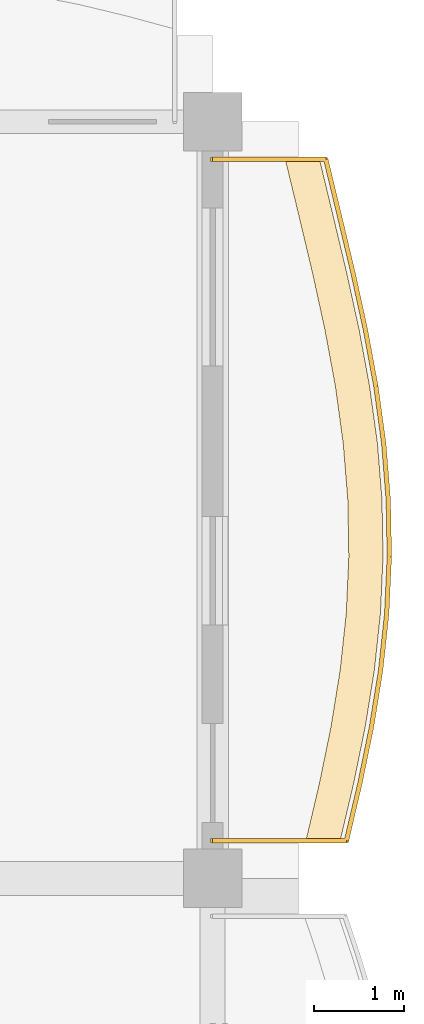
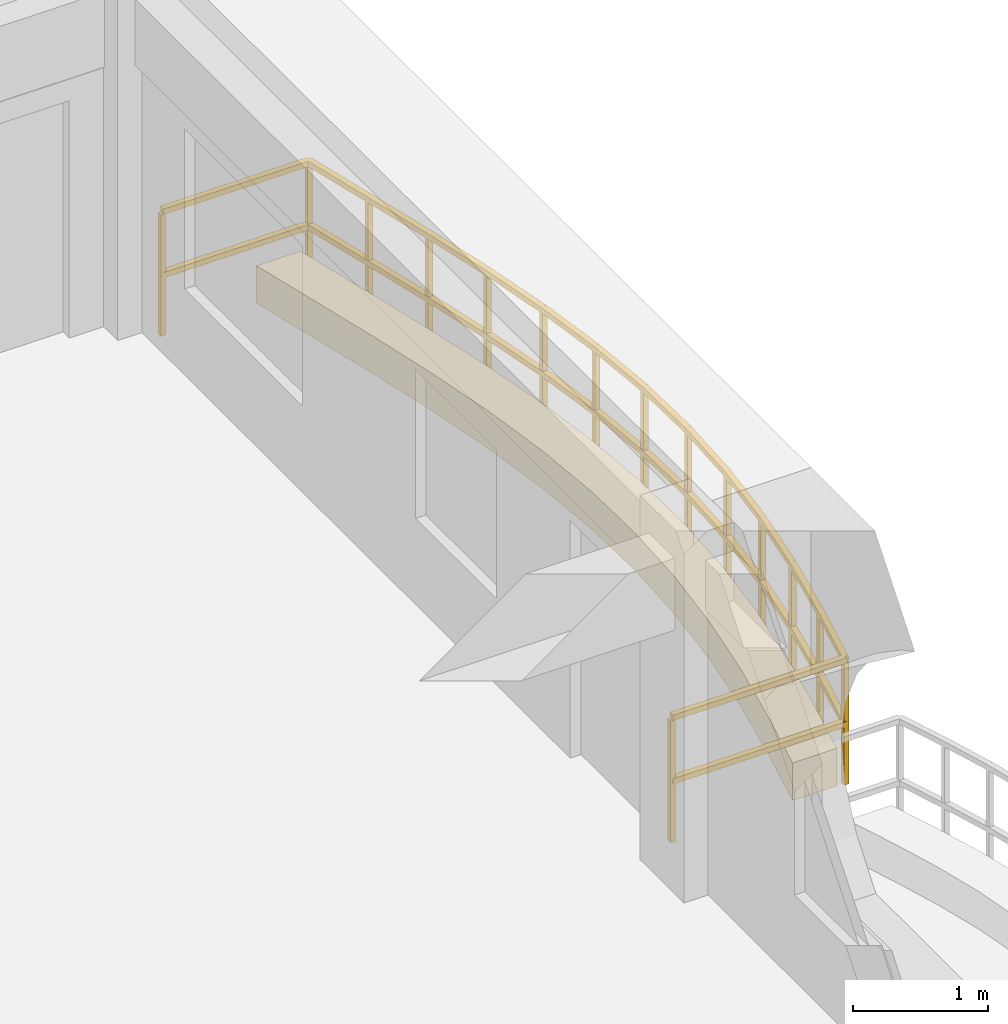
# One storey, part 101 of 101: 1 covering, 1 railing.
"""IFC4 building model written with IfcOpenShell, lengths in metres."""

from ifc_helpers import new_model, si_unit, direction, frame, origin, origin_2d, place, context, subcontext, project, spatial, polyline, rectangle, outline, extrude, material, layer, layer_set, type_object, element, save


model = new_model("IFC4")

# Units and contexts
model_context = context("Model", 3, precision=1e-05, world=origin(), true_north=direction((0.0, 1.0)))
body_context = subcontext(model_context, "Body", "Model", "MODEL_VIEW")
ifc_project = project(units=[si_unit("LENGTHUNIT", "METRE"), si_unit("AREAUNIT", "SQUARE_METRE"), si_unit("VOLUMEUNIT", "CUBIC_METRE"), si_unit("PLANEANGLEUNIT", "RADIAN"), si_unit("MASSUNIT", "GRAM", prefix="KILO"), si_unit("THERMODYNAMICTEMPERATUREUNIT", "KELVIN")], contexts=[model_context])

# Site, building, storey
site_placement = place(None, origin())
site = spatial("IfcSite", under=ifc_project, at=site_placement, CompositionType="ELEMENT")
building_placement = place(site_placement, origin())
building = spatial("IfcBuilding", under=site, at=building_placement, Name="Thalorik Housing Commons", CompositionType="ELEMENT")
storey_placement = place(building_placement, frame((0.0, 0.0, 8.10009765625)))
storey = spatial("IfcBuildingStorey", under=building, at=storey_placement, Name="L02", CompositionType="ELEMENT", Elevation=8.10009765625)

# Covering
ifc_material_1 = material(Name="Planted vegetated substrate and terracotta trough", Category="masonry")
ifc_layer = layer(ifc_material_1, 0.340087890625, Name="Planted vegetated substrate and terracotta trough", Category="masonry")
ifc_layer_set = layer_set([ifc_layer], Name="Planted vegetated substrate and terracotta trough")
covering_type = type_object("IfcCoveringType", Name="ARC-COV-PLANTER", PredefinedType="USERDEFINED", material=ifc_layer_set)
covering_placement = place(storey_placement, origin())
element("IfcCovering", 1, at=covering_placement, inside=storey, type_object=covering_type, Name="L02 Balcony Slab-Edge Planted Trough 5429", ObjectType="PLANTER", PredefinedType="USERDEFINED", context=body_context, shape_type="SweptSolid", body=[
    extrude(outline(polyline([(175.416015625, 115.6201171875), (175.564208984375, 116.25), (175.693359375, 116.8798828125), (175.795166015625, 117.510009765625), (175.86279296875, 118.139892578125), (175.8916015625, 118.77001953125), (175.880126953125, 119.39990234375), (175.829345703125, 120.030029296875), (175.74267578125, 120.659912109375), (175.62646484375, 121.2900390625), (175.488525390625, 121.919921875), (175.338623046875, 122.550048828125), (175.186767578125, 123.179931640625), (174.806884765625, 123.179931640625), (174.958740234375, 122.550048828125), (175.108642578125, 121.919921875), (175.246337890625, 121.2900390625), (175.36279296875, 120.659912109375), (175.44921875, 120.030029296875), (175.500244140625, 119.39990234375), (175.51171875, 118.77001953125), (175.48291015625, 118.139892578125), (175.415283203125, 117.510009765625), (175.3134765625, 116.8798828125), (175.18408203125, 116.25), (175.035888671875, 115.6201171875), (175.416015625, 115.6201171875)])), origin(), (0.0, 0.0, 1.0), 0.33984375),
])

# Railing
ifc_material_2 = material(Name="Steel S355", Category="steel")
railing_type = type_object("IfcRailingType", Name="ARC-RL-BAL-115", PredefinedType="BALUSTRADE", material=ifc_material_2)
railing_placement = place(storey_placement, frame((174.0, 115.6201171875, 0.0)))
element("IfcRailing", 2, at=railing_placement, inside=storey, type_object=railing_type, Name="L02 Cushion Balcony Guardrail 113", PredefinedType="BALUSTRADE", context=body_context, shape_type="SweptSolid", body=[
    extrude(rectangle(XDim=0.050048828125, YDim=0.050048828125, at=origin_2d()), frame((0.0, 0.0, 1.125), z_axis=(1.0, 0.0, 0.0), x_axis=(0.0, 1.0, 0.0)), (0.0, 0.0, 1.0), 1.486083984375),
    extrude(rectangle(XDim=0.050048828125, YDim=0.050048828125, at=origin_2d()), frame((0.0, 0.0, 0.5498046875), z_axis=(1.0, 0.0, 0.0), x_axis=(0.0, 1.0, 0.0)), (0.0, 0.0, 1.0), 1.486083984375),
    extrude(rectangle(XDim=0.050048828125, YDim=0.050048828125, at=origin_2d()), frame((1.486083984375, 0.0, 1.125), z_axis=(0.228660751292, 0.973506168865, 0.0), x_axis=(-0.973506168865, 0.228660751292, 0.0)), (0.0, 0.0, 1.0), 0.64697265625),
    extrude(rectangle(XDim=0.050048828125, YDim=0.050048828125, at=origin_2d()), frame((1.486083984375, 0.0, 0.5498046875), z_axis=(0.228660751292, 0.973506168865, 0.0), x_axis=(-0.973506168865, 0.228660751292, 0.0)), (0.0, 0.0, 1.0), 0.64697265625),
    extrude(rectangle(XDim=0.050048828125, YDim=0.050048828125, at=origin_2d()), frame((1.634033203125, 0.6298828125, 1.125), z_axis=(0.201224395652, 0.979545171288, 0.0), x_axis=(-0.979545171288, 0.201224395652, 0.0)), (0.0, 0.0, 1.0), 0.64306640625),
    extrude(rectangle(XDim=0.050048828125, YDim=0.050048828125, at=origin_2d()), frame((1.634033203125, 0.6298828125, 0.5498046875), z_axis=(0.201224395652, 0.979545171288, 0.0), x_axis=(-0.979545171288, 0.201224395652, 0.0)), (0.0, 0.0, 1.0), 0.64306640625),
    extrude(rectangle(XDim=0.050048828125, YDim=0.050048828125, at=origin_2d()), frame((1.763427734375, 1.259765625, 1.125), z_axis=(0.159496992938, 0.987198414324, 0.0), x_axis=(-0.987198414324, 0.159496992938, 0.0)), (0.0, 0.0, 1.0), 0.63818359375),
    extrude(rectangle(XDim=0.050048828125, YDim=0.050048828125, at=origin_2d()), frame((1.763427734375, 1.259765625, 0.5498046875), z_axis=(0.159496992938, 0.987198414324, 0.0), x_axis=(-0.987198414324, 0.159496992938, 0.0)), (0.0, 0.0, 1.0), 0.63818359375),
    extrude(rectangle(XDim=0.050048828125, YDim=0.050048828125, at=origin_2d()), frame((1.865234375, 1.889892578125, 1.125), z_axis=(0.106750840094, 0.994285803046, 0.0), x_axis=(-0.994285803046, 0.106750840094, 0.0)), (0.0, 0.0, 1.0), 0.633544921875),
    extrude(rectangle(XDim=0.050048828125, YDim=0.050048828125, at=origin_2d()), frame((1.865234375, 1.889892578125, 0.5498046875), z_axis=(0.106750840094, 0.994285803046, 0.0), x_axis=(-0.994285803046, 0.106750840094, 0.0)), (0.0, 0.0, 1.0), 0.633544921875),
    extrude(rectangle(XDim=0.050048828125, YDim=0.050048828125, at=origin_2d()), frame((1.932861328125, 2.519775390625, 1.125), z_axis=(0.045671007804, 0.998956535114, 0.0), x_axis=(-0.998956535114, 0.045671007804, 0.0)), (0.0, 0.0, 1.0), 0.630859375),
    extrude(rectangle(XDim=0.050048828125, YDim=0.050048828125, at=origin_2d()), frame((1.932861328125, 2.519775390625, 0.5498046875), z_axis=(0.045671007804, 0.998956535114, 0.0), x_axis=(-0.998956535114, 0.045671007804, 0.0)), (0.0, 0.0, 1.0), 0.630859375),
    extrude(rectangle(XDim=0.050048828125, YDim=0.050048828125, at=origin_2d()), frame((1.961669921875, 3.14990234375, 1.125), z_axis=(-0.01821403225, 0.999834110755, 0.0), x_axis=(-0.999834110755, -0.01821403225, 0.0)), (0.0, 0.0, 1.0), 0.6298828125),
    extrude(rectangle(XDim=0.050048828125, YDim=0.050048828125, at=origin_2d()), frame((1.961669921875, 3.14990234375, 0.5498046875), z_axis=(-0.01821403225, 0.999834110755, 0.0), x_axis=(-0.999834110755, -0.01821403225, 0.0)), (0.0, 0.0, 1.0), 0.6298828125),
    extrude(rectangle(XDim=0.050048828125, YDim=0.050048828125, at=origin_2d()), frame((1.9501953125, 3.77978515625, 1.125), z_axis=(-0.08032849152, 0.996768445252, 0.0), x_axis=(-0.996768445252, -0.08032849152, 0.0)), (0.0, 0.0, 1.0), 0.632080078125),
    extrude(rectangle(XDim=0.050048828125, YDim=0.050048828125, at=origin_2d()), frame((1.9501953125, 3.77978515625, 0.5498046875), z_axis=(-0.08032849152, 0.996768445252, 0.0), x_axis=(-0.996768445252, -0.08032849152, 0.0)), (0.0, 0.0, 1.0), 0.632080078125),
    extrude(rectangle(XDim=0.050048828125, YDim=0.050048828125, at=origin_2d()), frame((1.8994140625, 4.409912109375, 1.125), z_axis=(-0.136312553394, 0.990665881005, 0.0), x_axis=(-0.990665881005, -0.136312553394, 0.0)), (0.0, 0.0, 1.0), 0.6357421875),
    extrude(rectangle(XDim=0.050048828125, YDim=0.050048828125, at=origin_2d()), frame((1.8994140625, 4.409912109375, 0.5498046875), z_axis=(-0.136312553394, 0.990665881005, 0.0), x_axis=(-0.990665881005, -0.136312553394, 0.0)), (0.0, 0.0, 1.0), 0.6357421875),
    extrude(rectangle(XDim=0.050048828125, YDim=0.050048828125, at=origin_2d()), frame((1.812744140625, 5.039794921875, 1.125), z_axis=(-0.181734529019, 0.983347629764, 0.0), x_axis=(-0.983347629764, -0.181734529019, 0.0)), (0.0, 0.0, 1.0), 0.640869140625),
    extrude(rectangle(XDim=0.050048828125, YDim=0.050048828125, at=origin_2d()), frame((1.812744140625, 5.039794921875, 0.5498046875), z_axis=(-0.181734529019, 0.983347629764, 0.0), x_axis=(-0.983347629764, -0.181734529019, 0.0)), (0.0, 0.0, 1.0), 0.640869140625),
    extrude(rectangle(XDim=0.050048828125, YDim=0.050048828125, at=origin_2d()), frame((1.6962890625, 5.669921875, 1.125), z_axis=(-0.213561365582, 0.976929651065, 0.0), x_axis=(-0.976929651065, -0.213561365582, 0.0)), (0.0, 0.0, 1.0), 0.644775390625),
    extrude(rectangle(XDim=0.050048828125, YDim=0.050048828125, at=origin_2d()), frame((1.6962890625, 5.669921875, 0.5498046875), z_axis=(-0.213561365582, 0.976929651065, 0.0), x_axis=(-0.976929651065, -0.213561365582, 0.0)), (0.0, 0.0, 1.0), 0.644775390625),
    extrude(rectangle(XDim=0.050048828125, YDim=0.050048828125, at=origin_2d()), frame((1.55859375, 6.2998046875, 1.125), z_axis=(-0.231433676843, 0.97285068393, 0.0), x_axis=(-0.97285068393, -0.231433676843, 0.0)), (0.0, 0.0, 1.0), 0.647705078125),
    extrude(rectangle(XDim=0.050048828125, YDim=0.050048828125, at=origin_2d()), frame((1.55859375, 6.2998046875, 0.5498046875), z_axis=(-0.231433676843, 0.97285068393, 0.0), x_axis=(-0.97285068393, -0.231433676843, 0.0)), (0.0, 0.0, 1.0), 0.647705078125),
    extrude(rectangle(XDim=0.050048828125, YDim=0.050048828125, at=origin_2d()), frame((1.40869140625, 6.929931640625, 1.125), z_axis=(-0.234370412547, 0.972147370373, 0.0), x_axis=(-0.972147370373, -0.234370412547, 0.0)), (0.0, 0.0, 1.0), 0.64794921875),
    extrude(rectangle(XDim=0.050048828125, YDim=0.050048828125, at=origin_2d()), frame((1.40869140625, 6.929931640625, 0.5498046875), z_axis=(-0.234370412547, 0.972147370373, 0.0), x_axis=(-0.972147370373, -0.234370412547, 0.0)), (0.0, 0.0, 1.0), 0.64794921875),
    extrude(rectangle(XDim=0.050048828125, YDim=0.050048828125, at=origin_2d()), frame((1.2568359375, 7.559814453125, 1.125), z_axis=(-1.0, 0.0, 0.0), x_axis=(0.0, -1.0, 0.0)), (0.0, 0.0, 1.0), 1.2568359375),
    extrude(rectangle(XDim=0.050048828125, YDim=0.050048828125, at=origin_2d()), frame((1.2568359375, 7.559814453125, 0.5498046875), z_axis=(-1.0, 0.0, 0.0), x_axis=(0.0, -1.0, 0.0)), (0.0, 0.0, 1.0), 1.2568359375),
    extrude(rectangle(XDim=0.0419921875, YDim=0.0419921875, at=origin_2d()), origin(), (0.0, 0.0, 1.0), 1.099853515625),
    extrude(rectangle(XDim=0.0419921875, YDim=0.0419921875, at=origin_2d()), frame((1.486083984375, 0.0, 0.0)), (0.0, 0.0, 1.0), 1.099853515625),
    extrude(rectangle(XDim=0.0419921875, YDim=0.0419921875, at=origin_2d()), frame((1.634033203125, 0.6298828125, 0.0)), (0.0, 0.0, 1.0), 1.099853515625),
    extrude(rectangle(XDim=0.0419921875, YDim=0.0419921875, at=origin_2d()), frame((1.763427734375, 1.259765625, 0.0)), (0.0, 0.0, 1.0), 1.099853515625),
    extrude(rectangle(XDim=0.0419921875, YDim=0.0419921875, at=origin_2d()), frame((1.865234375, 1.889892578125, 0.0)), (0.0, 0.0, 1.0), 1.099853515625),
    extrude(rectangle(XDim=0.0419921875, YDim=0.0419921875, at=origin_2d()), frame((1.932861328125, 2.519775390625, 0.0)), (0.0, 0.0, 1.0), 1.099853515625),
    extrude(rectangle(XDim=0.0419921875, YDim=0.0419921875, at=origin_2d()), frame((1.961669921875, 3.14990234375, 0.0)), (0.0, 0.0, 1.0), 1.099853515625),
    extrude(rectangle(XDim=0.0419921875, YDim=0.0419921875, at=origin_2d()), frame((1.9501953125, 3.77978515625, 0.0)), (0.0, 0.0, 1.0), 1.099853515625),
    extrude(rectangle(XDim=0.0419921875, YDim=0.0419921875, at=origin_2d()), frame((1.8994140625, 4.409912109375, 0.0)), (0.0, 0.0, 1.0), 1.099853515625),
    extrude(rectangle(XDim=0.0419921875, YDim=0.0419921875, at=origin_2d()), frame((1.812744140625, 5.039794921875, 0.0)), (0.0, 0.0, 1.0), 1.099853515625),
    extrude(rectangle(XDim=0.0419921875, YDim=0.0419921875, at=origin_2d()), frame((1.6962890625, 5.669921875, 0.0)), (0.0, 0.0, 1.0), 1.099853515625),
    extrude(rectangle(XDim=0.0419921875, YDim=0.0419921875, at=origin_2d()), frame((1.55859375, 6.2998046875, 0.0)), (0.0, 0.0, 1.0), 1.099853515625),
    extrude(rectangle(XDim=0.0419921875, YDim=0.0419921875, at=origin_2d()), frame((1.40869140625, 6.929931640625, 0.0)), (0.0, 0.0, 1.0), 1.099853515625),
    extrude(rectangle(XDim=0.0419921875, YDim=0.0419921875, at=origin_2d()), frame((1.2568359375, 7.559814453125, 0.0)), (0.0, 0.0, 1.0), 1.099853515625),
    extrude(rectangle(XDim=0.0419921875, YDim=0.0419921875, at=origin_2d()), frame((0.0, 7.559814453125, 0.0)), (0.0, 0.0, 1.0), 1.099853515625),
])

save(model, "model.ifc")
